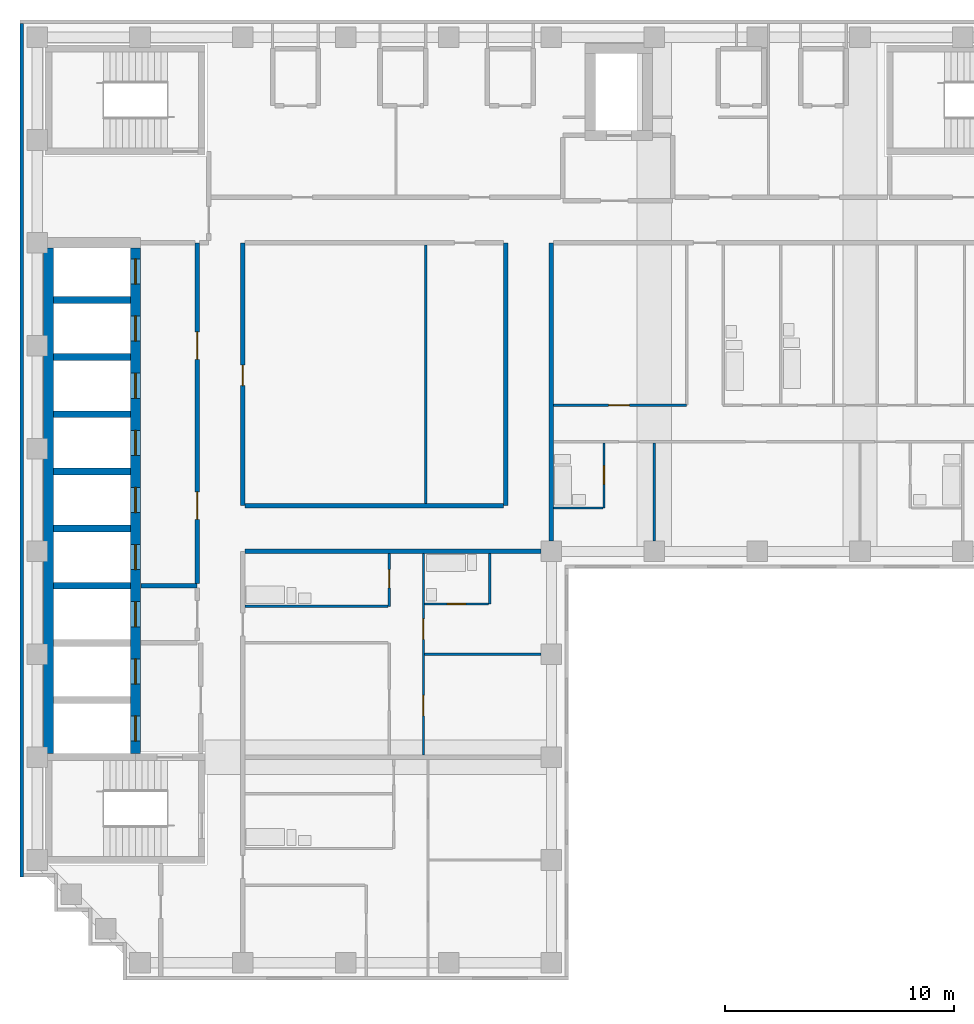
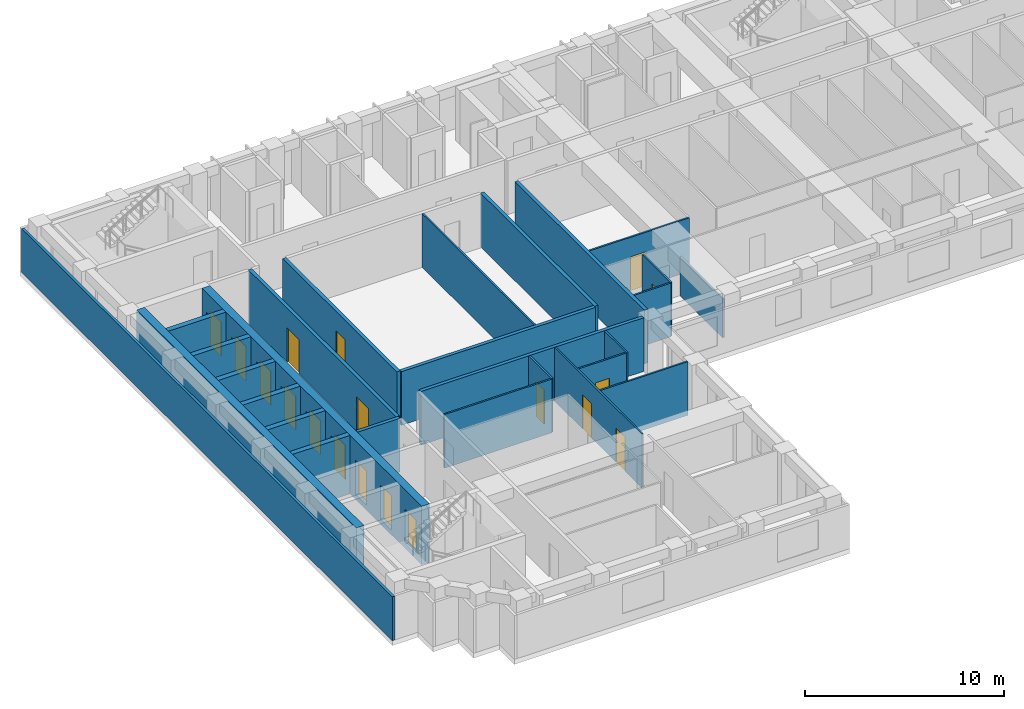
# One storey, part 3 of 9: 27 walls, 18 doors, 18 openings.
"""IFC4 building model written with IfcOpenShell, lengths in metres."""

from ifc_helpers import new_model, si_unit, direction, frame, frame_2d, origin, place, context, subcontext, project, spatial, rectangle, extrude, material, layer, layer_set, type_object, element, fill, save


model = new_model("IFC4")

# Units and contexts
model_context = context("Model", 3, precision=1e-05, world=origin(), true_north=direction((0.0, 1.0)))
body_context = subcontext(model_context, "Body", "Model", "MODEL_VIEW")
ifc_project = project(units=[si_unit("LENGTHUNIT", "METRE"), si_unit("AREAUNIT", "SQUARE_METRE"), si_unit("VOLUMEUNIT", "CUBIC_METRE"), si_unit("PLANEANGLEUNIT", "RADIAN"), si_unit("MASSUNIT", "GRAM", prefix="KILO")], contexts=[model_context])

# Site, building, storey
site_placement = place(None, origin())
site = spatial("IfcSite", under=ifc_project, at=site_placement, CompositionType="ELEMENT")
building_placement = place(site_placement, origin())
building = spatial("IfcBuilding", under=site, at=building_placement, Name="Firuza Court", CompositionType="ELEMENT")
storey_placement = place(building_placement, frame((0.0, 0.0, 222.199951171875)))
storey = spatial("IfcBuildingStorey", under=building, at=storey_placement, Name="L57", CompositionType="ELEMENT", Elevation=222.199951171875)

# Wall
ifc_material_1 = material(Name="Moisture-resistant gypsum board partition")
ifc_layer_1 = layer(ifc_material_1, 0.10009765625)
ifc_layer_set_1 = layer_set([ifc_layer_1], Name="Moisture-resistant gypsum board partition")
wall_type_1 = type_object("IfcWallType", Name="Bathroom partition 100", PredefinedType="PLUMBINGWALL", material=ifc_layer_set_1)
wall_1_placement = place(storey_placement, frame((9.10009765625, 33.60009765625, 0.0), z_axis=(0.0, 0.0, 1.0), x_axis=(1.0, 0.0, 0.0)))
element("IfcWall", 1, at=wall_1_placement, inside=storey, type_object=wall_type_1, Name="Bathroom partition 100 L57", PredefinedType="PLUMBINGWALL", context=body_context, shape_type="SweptSolid", body=[
    extrude(rectangle(XDim=6.25, YDim=0.10009765625, at=frame_2d((3.125, 0.0))), origin(), (0.0, 0.0, 1.0), 3.300048828125),
])

# Wall, opening, door
wall_2_placement = place(storey_placement, frame((16.949951171875, 33.699951171875, 0.0), z_axis=(0.0, 0.0, 1.0), x_axis=(1.0, 0.0, 0.0)))
wall_2 = element("IfcWall", 2, at=wall_2_placement, inside=storey, type_object=wall_type_1, Name="Bathroom partition 100 L57", PredefinedType="PLUMBINGWALL", context=body_context, shape_type="SweptSolid", body=[
    extrude(rectangle(XDim=2.800048828125, YDim=0.10009765625, at=frame_2d((1.39990234375, 0.0))), origin(), (0.0, 0.0, 1.0), 3.300048828125),
])
opening_1_placement = place(wall_2_placement, frame((1.0, 0.0, 0.0)))
opening_1 = element("IfcOpeningElement", 3, at=opening_1_placement, cuts=wall_2, Name="Opening D57025", PredefinedType="OPENING", context=body_context, shape_type="SweptSolid", body=[
    extrude(rectangle(XDim=0.800048828125, YDim=2.10009765625, at=frame_2d((0.39990234375, 1.050048828125))), frame((0.0, 0.06201171875, 0.0), z_axis=(0.0, -1.0, 0.0), x_axis=(1.0, 0.0, 0.0)), (0.0, 0.0, 1.0), 0.1240234375),
])
ifc_material_2 = material(Name="Timber door leaf in hardwood frame", Category="wood")
door_type_1 = type_object("IfcDoorType", Name="Bathroom door 800", OperationType="SINGLE_SWING_LEFT", PredefinedType="DOOR", material=ifc_material_2)
door_1_placement = place(opening_1_placement, origin())
door_1 = element("IfcDoor", 4, at=door_1_placement, inside=storey, type_object=door_type_1, Name="En-suite door", OperationType="SINGLE_SWING_LEFT", OverallHeight=2.10009765625, OverallWidth=0.800048828125, PredefinedType="DOOR", context=body_context, shape_type="SweptSolid", body=[
    extrude(rectangle(XDim=0.800048828125, YDim=2.10009765625, at=frame_2d((0.39990234375, 1.050048828125))), frame((0.0, 0.02490234375, 0.0), z_axis=(0.0, -1.0, 0.0), x_axis=(1.0, 0.0, 0.0)), (0.0, 0.0, 1.0), 0.050048828125),
])
fill(opening_1, door_1)

# Walls
wall_3_placement = place(storey_placement, frame((19.800048828125, 33.699951171875, 0.0), z_axis=(0.0, 0.0, 1.0), x_axis=(0.0, 1.0, 0.0)))
element("IfcWall", 5, at=wall_3_placement, inside=storey, type_object=wall_type_1, Name="Bathroom partition 100 L57", PredefinedType="PLUMBINGWALL", context=body_context, shape_type="SweptSolid", body=[
    extrude(rectangle(XDim=2.199951171875, YDim=0.10009765625, at=frame_2d((1.10009765625, 0.0))), origin(), (0.0, 0.0, 1.0), 3.300048828125),
])
wall_4_placement = place(storey_placement, frame((22.60009765625, 37.89990234375, 0.0), z_axis=(0.0, 0.0, 1.0), x_axis=(1.0, 0.0, 0.0)))
element("IfcWall", 6, at=wall_4_placement, inside=storey, type_object=wall_type_1, Name="Bathroom partition 100 L57", PredefinedType="PLUMBINGWALL", context=body_context, shape_type="SweptSolid", body=[
    extrude(rectangle(XDim=2.14990234375, YDim=0.10009765625, at=frame_2d((1.074951171875, 0.0))), origin(), (0.0, 0.0, 1.0), 3.300048828125),
])

# Wall, opening, door
wall_5_placement = place(storey_placement, frame((24.800048828125, 37.89990234375, 0.0), z_axis=(0.0, 0.0, 1.0), x_axis=(0.0, 1.0, 0.0)))
wall_5 = element("IfcWall", 7, at=wall_5_placement, inside=storey, type_object=wall_type_1, Name="Bathroom partition 100 L57", PredefinedType="PLUMBINGWALL", context=body_context, shape_type="SweptSolid", body=[
    extrude(rectangle(XDim=2.85009765625, YDim=0.10009765625, at=frame_2d((1.425048828125, 0.0))), origin(), (0.0, 0.0, 1.0), 3.300048828125),
])
opening_2_placement = place(wall_5_placement, frame((1.050048828125, 0.0, 0.0)))
opening_2 = element("IfcOpeningElement", 8, at=opening_2_placement, cuts=wall_5, Name="Opening D57026", PredefinedType="OPENING", context=body_context, shape_type="SweptSolid", body=[
    extrude(rectangle(XDim=0.800048828125, YDim=2.10009765625, at=frame_2d((0.39990234375, 1.050048828125))), frame((0.0, 0.06201171875, 0.0), z_axis=(0.0, -1.0, 0.0), x_axis=(1.0, 0.0, 0.0)), (0.0, 0.0, 1.0), 0.1240234375),
])
door_2_placement = place(opening_2_placement, origin())
door_2 = element("IfcDoor", 9, at=door_2_placement, inside=storey, type_object=door_type_1, Name="En-suite door", OperationType="SINGLE_SWING_LEFT", OverallHeight=2.10009765625, OverallWidth=0.800048828125, PredefinedType="DOOR", context=body_context, shape_type="SweptSolid", body=[
    extrude(rectangle(XDim=0.800048828125, YDim=2.10009765625, at=frame_2d((0.39990234375, 1.050048828125))), frame((0.0, 0.02490234375, 0.0), z_axis=(0.0, -1.0, 0.0), x_axis=(1.0, 0.0, 0.0)), (0.0, 0.0, 1.0), 0.050048828125),
])
fill(opening_2, door_2)

# Walls
ifc_material_3 = material(Name="Concrete C50/60", Category="concrete")
ifc_layer_2 = layer(ifc_material_3, 0.300048828125)
ifc_layer_set_2 = layer_set([ifc_layer_2], Name="Concrete C50/60")
wall_type_2 = type_object("IfcWallType", Name="Core wall 300 C50/60", PredefinedType="SHEAR", material=ifc_layer_set_2)
for number, where, z_axis, x_axis, name in (
    (10, (0.72509765625, 34.5, -0.300048828125), (0.0, 0.0, 1.0), (1.0, 0.0, 0.0), "Core wall lift shaft L57"),
    (11, (0.72509765625, 37.0, -0.300048828125), (0.0, 0.0, 1.0), (1.0, 0.0, 0.0), "Core wall lift shaft L57"),
    (12, (0.72509765625, 39.5, -0.300048828125), (0.0, 0.0, 1.0), (1.0, 0.0, 0.0), "Core wall lift shaft L57"),
    (13, (0.72509765625, 42.0, -0.300048828125), (0.0, 0.0, 1.0), (1.0, 0.0, 0.0), "Core wall lift shaft L57"),
    (14, (0.72509765625, 44.5, -0.300048828125), (0.0, 0.0, 1.0), (1.0, 0.0, 0.0), "Core wall lift shaft L57"),
    (15, (0.72509765625, 47.0, -0.300048828125), (0.0, 0.0, 1.0), (1.0, 0.0, 0.0), "Core wall lift shaft L57"),
):
    element("IfcWall", number, at=place(storey_placement, frame(where, z_axis=z_axis, x_axis=x_axis)), inside=storey, type_object=wall_type_2, Name=name, PredefinedType="SHEAR", context=body_context, shape_type="SweptSolid", body=[
        extrude(rectangle(XDim=3.349853515625, YDim=0.300048828125, at=frame_2d((1.6748046875, 0.0))), origin(), (0.0, 0.0, 1.0), 3.60009765625),
    ])
ifc_layer_3 = layer(ifc_material_3, 0.449951171875)
ifc_layer_set_3 = layer_set([ifc_layer_3], Name="Concrete C50/60")
wall_type_3 = type_object("IfcWallType", Name="Core wall 450 C50/60", PredefinedType="SHEAR", material=ifc_layer_set_3)
wall_6_placement = place(storey_placement, frame((0.5, 27.14990234375, -0.300048828125), z_axis=(0.0, 0.0, 1.0), x_axis=(0.0, 1.0, 0.0)))
element("IfcWall", 16, at=wall_6_placement, inside=storey, type_object=wall_type_3, Name="Core wall lift shaft L57", PredefinedType="SHEAR", context=body_context, shape_type="SweptSolid", body=[
    extrude(rectangle(XDim=22.125, YDim=0.449951171875, at=frame_2d((11.0625, 0.0))), origin(), (0.0, 0.0, 1.0), 3.60009765625),
])

# Wall, openings, doors
wall_7_placement = place(storey_placement, frame((4.300048828125, 27.14990234375, -0.300048828125), z_axis=(0.0, 0.0, 1.0), x_axis=(0.0, 1.0, 0.0)))
wall_7 = element("IfcWall", 17, at=wall_7_placement, inside=storey, type_object=wall_type_3, Name="Core wall lift shaft L57", PredefinedType="SHEAR", context=body_context, shape_type="SweptSolid", body=[
    extrude(rectangle(XDim=22.125, YDim=0.449951171875, at=frame_2d((11.0625, 0.0))), origin(), (0.0, 0.0, 1.0), 3.60009765625),
])
opening_3_placement = place(wall_7_placement, frame((3.050048828125, 0.0, 0.300048828125)))
opening_3 = element("IfcOpeningElement", 18, at=opening_3_placement, cuts=wall_7, Name="Opening LD-FL1-57", PredefinedType="OPENING", context=body_context, shape_type="SweptSolid", body=[
    extrude(rectangle(XDim=1.10009765625, YDim=2.10009765625, at=frame_2d((0.550048828125, 1.050048828125))), frame((0.0, 0.23681640625, 0.0), z_axis=(0.0, -1.0, 0.0), x_axis=(1.0, 0.0, 0.0)), (0.0, 0.0, 1.0), 0.473876953125),
])
opening_4_placement = place(wall_7_placement, frame((0.550048828125, 0.0, 0.300048828125)))
opening_4 = element("IfcOpeningElement", 19, at=opening_4_placement, cuts=wall_7, Name="Opening LD-FL2-57", PredefinedType="OPENING", context=body_context, shape_type="SweptSolid", body=[
    extrude(rectangle(XDim=1.10009765625, YDim=2.10009765625, at=frame_2d((0.550048828125, 1.050048828125))), frame((0.0, 0.23681640625, 0.0), z_axis=(0.0, -1.0, 0.0), x_axis=(1.0, 0.0, 0.0)), (0.0, 0.0, 1.0), 0.473876953125),
])
opening_5_placement = place(wall_7_placement, frame((20.550048828125, 0.0, 0.300048828125)))
opening_5 = element("IfcOpeningElement", 20, at=opening_5_placement, cuts=wall_7, Name="Opening LD-HB1-57", PredefinedType="OPENING", context=body_context, shape_type="SweptSolid", body=[
    extrude(rectangle(XDim=1.10009765625, YDim=2.10009765625, at=frame_2d((0.550048828125, 1.050048828125))), frame((0.0, 0.23681640625, 0.0), z_axis=(0.0, -1.0, 0.0), x_axis=(1.0, 0.0, 0.0)), (0.0, 0.0, 1.0), 0.473876953125),
])
opening_6_placement = place(wall_7_placement, frame((18.050048828125, 0.0, 0.300048828125)))
opening_6 = element("IfcOpeningElement", 21, at=opening_6_placement, cuts=wall_7, Name="Opening LD-HB2-57", PredefinedType="OPENING", context=body_context, shape_type="SweptSolid", body=[
    extrude(rectangle(XDim=1.10009765625, YDim=2.10009765625, at=frame_2d((0.550048828125, 1.050048828125))), frame((0.0, 0.23681640625, 0.0), z_axis=(0.0, -1.0, 0.0), x_axis=(1.0, 0.0, 0.0)), (0.0, 0.0, 1.0), 0.473876953125),
])
opening_7_placement = place(wall_7_placement, frame((15.550048828125, 0.0, 0.300048828125)))
opening_7 = element("IfcOpeningElement", 22, at=opening_7_placement, cuts=wall_7, Name="Opening LD-HB3-57", PredefinedType="OPENING", context=body_context, shape_type="SweptSolid", body=[
    extrude(rectangle(XDim=1.10009765625, YDim=2.10009765625, at=frame_2d((0.550048828125, 1.050048828125))), frame((0.0, 0.23681640625, 0.0), z_axis=(0.0, -1.0, 0.0), x_axis=(1.0, 0.0, 0.0)), (0.0, 0.0, 1.0), 0.473876953125),
])
opening_8_placement = place(wall_7_placement, frame((13.050048828125, 0.0, 0.300048828125)))
opening_8 = element("IfcOpeningElement", 23, at=opening_8_placement, cuts=wall_7, Name="Opening LD-HB4-57", PredefinedType="OPENING", context=body_context, shape_type="SweptSolid", body=[
    extrude(rectangle(XDim=1.10009765625, YDim=2.10009765625, at=frame_2d((0.550048828125, 1.050048828125))), frame((0.0, 0.23681640625, 0.0), z_axis=(0.0, -1.0, 0.0), x_axis=(1.0, 0.0, 0.0)), (0.0, 0.0, 1.0), 0.473876953125),
])
opening_9_placement = place(wall_7_placement, frame((10.550048828125, 0.0, 0.300048828125)))
opening_9 = element("IfcOpeningElement", 24, at=opening_9_placement, cuts=wall_7, Name="Opening LD-HB5-57", PredefinedType="OPENING", context=body_context, shape_type="SweptSolid", body=[
    extrude(rectangle(XDim=1.10009765625, YDim=2.10009765625, at=frame_2d((0.550048828125, 1.050048828125))), frame((0.0, 0.23681640625, 0.0), z_axis=(0.0, -1.0, 0.0), x_axis=(1.0, 0.0, 0.0)), (0.0, 0.0, 1.0), 0.473876953125),
])
opening_10_placement = place(wall_7_placement, frame((8.050048828125, 0.0, 0.300048828125)))
opening_10 = element("IfcOpeningElement", 25, at=opening_10_placement, cuts=wall_7, Name="Opening LD-HB6-57", PredefinedType="OPENING", context=body_context, shape_type="SweptSolid", body=[
    extrude(rectangle(XDim=1.10009765625, YDim=2.10009765625, at=frame_2d((0.550048828125, 1.050048828125))), frame((0.0, 0.23681640625, 0.0), z_axis=(0.0, -1.0, 0.0), x_axis=(1.0, 0.0, 0.0)), (0.0, 0.0, 1.0), 0.473876953125),
])
opening_11_placement = place(wall_7_placement, frame((5.550048828125, 0.0, 0.300048828125)))
opening_11 = element("IfcOpeningElement", 26, at=opening_11_placement, cuts=wall_7, Name="Opening LD-SL1-57", PredefinedType="OPENING", context=body_context, shape_type="SweptSolid", body=[
    extrude(rectangle(XDim=1.10009765625, YDim=2.10009765625, at=frame_2d((0.550048828125, 1.050048828125))), frame((0.0, 0.23681640625, 0.0), z_axis=(0.0, -1.0, 0.0), x_axis=(1.0, 0.0, 0.0)), (0.0, 0.0, 1.0), 0.473876953125),
])
ifc_material_4 = material(Name="Stainless steel 1.4301 door leaf", Category="steel")
door_type_2 = type_object("IfcDoorType", Name="Lift landing door 1100", OperationType="SLIDING_TO_LEFT", PredefinedType="DOOR", material=ifc_material_4)
door_3_placement = place(opening_3_placement, origin())
door_3 = element("IfcDoor", 27, at=door_3_placement, inside=storey, type_object=door_type_2, Name="Landing door FL1", OperationType="SLIDING_TO_LEFT", OverallHeight=2.10009765625, OverallWidth=1.10009765625, PredefinedType="DOOR", context=body_context, shape_type="SweptSolid", body=[
    extrude(rectangle(XDim=1.10009765625, YDim=2.10009765625, at=frame_2d((0.550048828125, 1.050048828125))), frame((0.0, 0.02490234375, 0.0), z_axis=(0.0, -1.0, 0.0), x_axis=(1.0, 0.0, 0.0)), (0.0, 0.0, 1.0), 0.050048828125),
])
fill(opening_3, door_3)
door_4_placement = place(opening_4_placement, origin())
door_4 = element("IfcDoor", 28, at=door_4_placement, inside=storey, type_object=door_type_2, Name="Landing door FL2", OperationType="SLIDING_TO_LEFT", OverallHeight=2.10009765625, OverallWidth=1.10009765625, PredefinedType="DOOR", context=body_context, shape_type="SweptSolid", body=[
    extrude(rectangle(XDim=1.10009765625, YDim=2.10009765625, at=frame_2d((0.550048828125, 1.050048828125))), frame((0.0, 0.02490234375, 0.0), z_axis=(0.0, -1.0, 0.0), x_axis=(1.0, 0.0, 0.0)), (0.0, 0.0, 1.0), 0.050048828125),
])
fill(opening_4, door_4)
door_5_placement = place(opening_5_placement, origin())
door_5 = element("IfcDoor", 29, at=door_5_placement, inside=storey, type_object=door_type_2, Name="Landing door HB1", OperationType="SLIDING_TO_LEFT", OverallHeight=2.10009765625, OverallWidth=1.10009765625, PredefinedType="DOOR", context=body_context, shape_type="SweptSolid", body=[
    extrude(rectangle(XDim=1.10009765625, YDim=2.10009765625, at=frame_2d((0.550048828125, 1.050048828125))), frame((0.0, 0.02490234375, 0.0), z_axis=(0.0, -1.0, 0.0), x_axis=(1.0, 0.0, 0.0)), (0.0, 0.0, 1.0), 0.050048828125),
])
fill(opening_5, door_5)
door_6_placement = place(opening_6_placement, origin())
door_6 = element("IfcDoor", 30, at=door_6_placement, inside=storey, type_object=door_type_2, Name="Landing door HB2", OperationType="SLIDING_TO_LEFT", OverallHeight=2.10009765625, OverallWidth=1.10009765625, PredefinedType="DOOR", context=body_context, shape_type="SweptSolid", body=[
    extrude(rectangle(XDim=1.10009765625, YDim=2.10009765625, at=frame_2d((0.550048828125, 1.050048828125))), frame((0.0, 0.02490234375, 0.0), z_axis=(0.0, -1.0, 0.0), x_axis=(1.0, 0.0, 0.0)), (0.0, 0.0, 1.0), 0.050048828125),
])
fill(opening_6, door_6)
door_7_placement = place(opening_7_placement, origin())
door_7 = element("IfcDoor", 31, at=door_7_placement, inside=storey, type_object=door_type_2, Name="Landing door HB3", OperationType="SLIDING_TO_LEFT", OverallHeight=2.10009765625, OverallWidth=1.10009765625, PredefinedType="DOOR", context=body_context, shape_type="SweptSolid", body=[
    extrude(rectangle(XDim=1.10009765625, YDim=2.10009765625, at=frame_2d((0.550048828125, 1.050048828125))), frame((0.0, 0.02490234375, 0.0), z_axis=(0.0, -1.0, 0.0), x_axis=(1.0, 0.0, 0.0)), (0.0, 0.0, 1.0), 0.050048828125),
])
fill(opening_7, door_7)
door_8_placement = place(opening_8_placement, origin())
door_8 = element("IfcDoor", 32, at=door_8_placement, inside=storey, type_object=door_type_2, Name="Landing door HB4", OperationType="SLIDING_TO_LEFT", OverallHeight=2.10009765625, OverallWidth=1.10009765625, PredefinedType="DOOR", context=body_context, shape_type="SweptSolid", body=[
    extrude(rectangle(XDim=1.10009765625, YDim=2.10009765625, at=frame_2d((0.550048828125, 1.050048828125))), frame((0.0, 0.02490234375, 0.0), z_axis=(0.0, -1.0, 0.0), x_axis=(1.0, 0.0, 0.0)), (0.0, 0.0, 1.0), 0.050048828125),
])
fill(opening_8, door_8)
door_9_placement = place(opening_9_placement, origin())
door_9 = element("IfcDoor", 33, at=door_9_placement, inside=storey, type_object=door_type_2, Name="Landing door HB5", OperationType="SLIDING_TO_LEFT", OverallHeight=2.10009765625, OverallWidth=1.10009765625, PredefinedType="DOOR", context=body_context, shape_type="SweptSolid", body=[
    extrude(rectangle(XDim=1.10009765625, YDim=2.10009765625, at=frame_2d((0.550048828125, 1.050048828125))), frame((0.0, 0.02490234375, 0.0), z_axis=(0.0, -1.0, 0.0), x_axis=(1.0, 0.0, 0.0)), (0.0, 0.0, 1.0), 0.050048828125),
])
fill(opening_9, door_9)
door_10_placement = place(opening_10_placement, origin())
door_10 = element("IfcDoor", 34, at=door_10_placement, inside=storey, type_object=door_type_2, Name="Landing door HB6", OperationType="SLIDING_TO_LEFT", OverallHeight=2.10009765625, OverallWidth=1.10009765625, PredefinedType="DOOR", context=body_context, shape_type="SweptSolid", body=[
    extrude(rectangle(XDim=1.10009765625, YDim=2.10009765625, at=frame_2d((0.550048828125, 1.050048828125))), frame((0.0, 0.02490234375, 0.0), z_axis=(0.0, -1.0, 0.0), x_axis=(1.0, 0.0, 0.0)), (0.0, 0.0, 1.0), 0.050048828125),
])
fill(opening_10, door_10)
door_11_placement = place(opening_11_placement, origin())
door_11 = element("IfcDoor", 35, at=door_11_placement, inside=storey, type_object=door_type_2, Name="Landing door SL1", OperationType="SLIDING_TO_LEFT", OverallHeight=2.10009765625, OverallWidth=1.10009765625, PredefinedType="DOOR", context=body_context, shape_type="SweptSolid", body=[
    extrude(rectangle(XDim=1.10009765625, YDim=2.10009765625, at=frame_2d((0.550048828125, 1.050048828125))), frame((0.0, 0.02490234375, 0.0), z_axis=(0.0, -1.0, 0.0), x_axis=(1.0, 0.0, 0.0)), (0.0, 0.0, 1.0), 0.050048828125),
])
fill(opening_11, door_11)

# Wall, opening, door
ifc_material_5 = material(Name="Blockwork, plastered both sides", Category="masonry")
ifc_layer_4 = layer(ifc_material_5, 0.199951171875)
ifc_layer_set_4 = layer_set([ifc_layer_4], Name="Blockwork, plastered both sides")
wall_type_4 = type_object("IfcWallType", Name="Corridor wall 200", PredefinedType="PARTITIONING", material=ifc_layer_set_4)
wall_8_placement = place(storey_placement, frame((9.0, 38.0, 0.0), z_axis=(0.0, 0.0, 1.0), x_axis=(0.0, 1.0, 0.0)))
wall_8 = element("IfcWall", 36, at=wall_8_placement, inside=storey, type_object=wall_type_4, Name="Corridor wall 200 L57", PredefinedType="PARTITIONING", context=body_context, shape_type="SweptSolid", body=[
    extrude(rectangle(XDim=11.5, YDim=0.199951171875, at=frame_2d((5.75, 0.0))), origin(), (0.0, 0.0, 1.0), 3.300048828125),
])
opening_12_placement = place(wall_8_placement, frame((5.25, 0.0, 0.0)))
opening_12 = element("IfcOpeningElement", 37, at=opening_12_placement, cuts=wall_8, Name="Opening D57028", PredefinedType="OPENING", context=body_context, shape_type="SweptSolid", body=[
    extrude(rectangle(XDim=0.89990234375, YDim=2.10009765625, at=frame_2d((0.449951171875, 1.050048828125))), frame((0.0, 0.11181640625, 0.0), z_axis=(0.0, -1.0, 0.0), x_axis=(1.0, 0.0, 0.0)), (0.0, 0.0, 1.0), 0.223876953125),
])
ifc_material_6 = material(Name="Timber door leaf in hardwood frame", Category="wood")
door_type_3 = type_object("IfcDoorType", Name="Room door 900 EI 30", OperationType="SINGLE_SWING_LEFT", PredefinedType="DOOR", material=ifc_material_6)
door_12_placement = place(opening_12_placement, origin())
door_12 = element("IfcDoor", 38, at=door_12_placement, inside=storey, type_object=door_type_3, Name="Cinema room door", OperationType="SINGLE_SWING_LEFT", OverallHeight=2.10009765625, OverallWidth=0.89990234375, PredefinedType="DOOR", context=body_context, shape_type="SweptSolid", body=[
    extrude(rectangle(XDim=0.89990234375, YDim=2.10009765625, at=frame_2d((0.449951171875, 1.050048828125))), frame((0.0, 0.02490234375, 0.0), z_axis=(0.0, -1.0, 0.0), x_axis=(1.0, 0.0, 0.0)), (0.0, 0.0, 1.0), 0.050048828125),
])
fill(opening_12, door_12)

# Walls
wall_9_placement = place(storey_placement, frame((9.10009765625, 38.0, 0.0), z_axis=(0.0, 0.0, 1.0), x_axis=(1.0, 0.0, 0.0)))
element("IfcWall", 39, at=wall_9_placement, inside=storey, type_object=wall_type_4, Name="Corridor wall 200 L57", PredefinedType="PARTITIONING", context=body_context, shape_type="SweptSolid", body=[
    extrude(rectangle(XDim=11.2998046875, YDim=0.199951171875, at=frame_2d((5.64990234375, 0.0))), origin(), (0.0, 0.0, 1.0), 3.300048828125),
])
wall_10_placement = place(storey_placement, frame((20.5, 38.0, 0.0), z_axis=(0.0, 0.0, 1.0), x_axis=(0.0, 1.0, 0.0)))
element("IfcWall", 40, at=wall_10_placement, inside=storey, type_object=wall_type_4, Name="Corridor wall 200 L57", PredefinedType="PARTITIONING", context=body_context, shape_type="SweptSolid", body=[
    extrude(rectangle(XDim=11.5, YDim=0.199951171875, at=frame_2d((5.75, 0.0))), origin(), (0.0, 0.0, 1.0), 3.300048828125),
])

# Wall, openings, doors
ifc_material_7 = material(Name="Timber stud partition, plasterboard both sides", Category="wood")
ifc_layer_5 = layer(ifc_material_7, 0.10009765625)
ifc_layer_set_5 = layer_set([ifc_layer_5], Name="Timber stud partition, plasterboard both sides")
wall_type_5 = type_object("IfcWallType", Name="Partition wall 100", PredefinedType="PARTITIONING", material=ifc_layer_set_5)
wall_11_placement = place(storey_placement, frame((16.89990234375, 27.10009765625, 0.0), z_axis=(0.0, 0.0, 1.0), x_axis=(0.0, 1.0, 0.0)))
wall_11 = element("IfcWall", 41, at=wall_11_placement, inside=storey, type_object=wall_type_5, Name="Partition wall 100 L57", PredefinedType="PARTITIONING", context=body_context, shape_type="SweptSolid", body=[
    extrude(rectangle(XDim=8.7998046875, YDim=0.10009765625, at=frame_2d((4.39990234375, 0.0))), origin(), (0.0, 0.0, 1.0), 3.300048828125),
])
opening_13_placement = place(wall_11_placement, frame((1.699951171875, 0.0, 0.0)))
opening_13 = element("IfcOpeningElement", 42, at=opening_13_placement, cuts=wall_11, Name="Opening D57022", PredefinedType="OPENING", context=body_context, shape_type="SweptSolid", body=[
    extrude(rectangle(XDim=0.89990234375, YDim=2.10009765625, at=frame_2d((0.449951171875, 1.050048828125))), frame((0.0, 0.06201171875, 0.0), z_axis=(0.0, -1.0, 0.0), x_axis=(1.0, 0.0, 0.0)), (0.0, 0.0, 1.0), 0.1240234375),
])
opening_14_placement = place(wall_11_placement, frame((5.050048828125, 0.0, 0.0)))
opening_14 = element("IfcOpeningElement", 43, at=opening_14_placement, cuts=wall_11, Name="Opening D57023", PredefinedType="OPENING", context=body_context, shape_type="SweptSolid", body=[
    extrude(rectangle(XDim=0.89990234375, YDim=2.10009765625, at=frame_2d((0.449951171875, 1.050048828125))), frame((0.0, 0.06201171875, 0.0), z_axis=(0.0, -1.0, 0.0), x_axis=(1.0, 0.0, 0.0)), (0.0, 0.0, 1.0), 0.1240234375),
])
ifc_material_8 = material(Name="Timber door leaf in hardwood frame", Category="wood")
door_type_4 = type_object("IfcDoorType", Name="Room door 900", OperationType="SINGLE_SWING_LEFT", PredefinedType="DOOR", material=ifc_material_8)
door_13_placement = place(opening_13_placement, frame((0.89990234375, 0.0, 0.0), z_axis=(0.0, 0.0, 1.0), x_axis=(-1.0, 0.0, 0.0)))
door_13 = element("IfcDoor", 44, at=door_13_placement, inside=storey, type_object=door_type_4, Name="Living room door", OperationType="SINGLE_SWING_RIGHT", OverallHeight=2.10009765625, OverallWidth=0.89990234375, PredefinedType="DOOR", context=body_context, shape_type="SweptSolid", body=[
    extrude(rectangle(XDim=0.89990234375, YDim=2.10009765625, at=frame_2d((0.449951171875, 1.050048828125))), frame((0.0, 0.02490234375, 0.0), z_axis=(0.0, -1.0, 0.0), x_axis=(1.0, 0.0, 0.0)), (0.0, 0.0, 1.0), 0.050048828125),
])
fill(opening_13, door_13)
door_14_placement = place(opening_14_placement, frame((0.89990234375, 0.0, 0.0), z_axis=(0.0, 0.0, 1.0), x_axis=(-1.0, 0.0, 0.0)))
door_14 = element("IfcDoor", 45, at=door_14_placement, inside=storey, type_object=door_type_4, Name="Bedroom door", OperationType="SINGLE_SWING_RIGHT", OverallHeight=2.10009765625, OverallWidth=0.89990234375, PredefinedType="DOOR", context=body_context, shape_type="SweptSolid", body=[
    extrude(rectangle(XDim=0.89990234375, YDim=2.10009765625, at=frame_2d((0.449951171875, 1.050048828125))), frame((0.0, 0.02490234375, 0.0), z_axis=(0.0, -1.0, 0.0), x_axis=(1.0, 0.0, 0.0)), (0.0, 0.0, 1.0), 0.050048828125),
])
fill(opening_14, door_14)

# Wall
wall_12_placement = place(storey_placement, frame((16.949951171875, 31.5, 0.0), z_axis=(0.0, 0.0, 1.0), x_axis=(1.0, 0.0, 0.0)))
element("IfcWall", 46, at=wall_12_placement, inside=storey, type_object=wall_type_5, Name="Partition wall 100 L57", PredefinedType="PARTITIONING", context=body_context, shape_type="SweptSolid", body=[
    extrude(rectangle(XDim=5.10009765625, YDim=0.10009765625, at=frame_2d((2.550048828125, 0.0))), origin(), (0.0, 0.0, 1.0), 3.300048828125),
])

# Wall, opening, door
wall_13_placement = place(storey_placement, frame((15.39990234375, 33.60009765625, 0.0), z_axis=(0.0, 0.0, 1.0), x_axis=(0.0, 1.0, 0.0)))
wall_13 = element("IfcWall", 47, at=wall_13_placement, inside=storey, type_object=wall_type_5, Name="Partition wall 100 L57", PredefinedType="PARTITIONING", context=body_context, shape_type="SweptSolid", body=[
    extrude(rectangle(XDim=2.2998046875, YDim=0.10009765625, at=frame_2d((1.14990234375, 0.0))), origin(), (0.0, 0.0, 1.0), 3.300048828125),
])
opening_15_placement = place(wall_13_placement, frame((0.800048828125, 0.0, 0.0)))
opening_15 = element("IfcOpeningElement", 48, at=opening_15_placement, cuts=wall_13, Name="Opening D57024", PredefinedType="OPENING", context=body_context, shape_type="SweptSolid", body=[
    extrude(rectangle(XDim=0.800048828125, YDim=2.10009765625, at=frame_2d((0.39990234375, 1.050048828125))), frame((0.0, 0.06201171875, 0.0), z_axis=(0.0, -1.0, 0.0), x_axis=(1.0, 0.0, 0.0)), (0.0, 0.0, 1.0), 0.1240234375),
])
door_15_placement = place(opening_15_placement, origin())
door_15 = element("IfcDoor", 49, at=door_15_placement, inside=storey, type_object=door_type_1, Name="Bathroom door", OperationType="SINGLE_SWING_LEFT", OverallHeight=2.10009765625, OverallWidth=0.800048828125, PredefinedType="DOOR", context=body_context, shape_type="SweptSolid", body=[
    extrude(rectangle(XDim=0.800048828125, YDim=2.10009765625, at=frame_2d((0.39990234375, 1.050048828125))), frame((0.0, 0.02490234375, 0.0), z_axis=(0.0, -1.0, 0.0), x_axis=(1.0, 0.0, 0.0)), (0.0, 0.0, 1.0), 0.050048828125),
])
fill(opening_15, door_15)

# Walls
wall_14_placement = place(storey_placement, frame((27.0, 36.449951171875, 0.0), z_axis=(0.0, 0.0, 1.0), x_axis=(0.0, 1.0, 0.0)))
element("IfcWall", 50, at=wall_14_placement, inside=storey, type_object=wall_type_5, Name="Partition wall 100 L57", PredefinedType="PARTITIONING", context=body_context, shape_type="SweptSolid", body=[
    extrude(rectangle(XDim=4.300048828125, YDim=0.10009765625, at=frame_2d((2.14990234375, 0.0))), origin(), (0.0, 0.0, 1.0), 2.400146484375),
])
wall_15_placement = place(storey_placement, frame((17.0, 38.10009765625, 0.0), z_axis=(0.0, 0.0, 1.0), x_axis=(0.0, 1.0, 0.0)))
element("IfcWall", 51, at=wall_15_placement, inside=storey, type_object=wall_type_5, Name="Partition wall 100 L57", PredefinedType="PARTITIONING", context=body_context, shape_type="SweptSolid", body=[
    extrude(rectangle(XDim=11.2998046875, YDim=0.10009765625, at=frame_2d((5.64990234375, 0.0))), origin(), (0.0, 0.0, 1.0), 3.300048828125),
])

# Wall, opening, door
wall_16_placement = place(storey_placement, frame((22.60009765625, 42.39990234375, 0.0), z_axis=(0.0, 0.0, 1.0), x_axis=(1.0, 0.0, 0.0)))
wall_16 = element("IfcWall", 52, at=wall_16_placement, inside=storey, type_object=wall_type_5, Name="Partition wall 100 L57", PredefinedType="PARTITIONING", context=body_context, shape_type="SweptSolid", body=[
    extrude(rectangle(XDim=5.8154296875, YDim=0.10009765625, at=frame_2d((2.90771484375, 0.0))), origin(), (0.0, 0.0, 1.0), 3.300048828125),
])
opening_16_placement = place(wall_16_placement, frame((2.40771484375, 0.0, 0.0)))
opening_16 = element("IfcOpeningElement", 53, at=opening_16_placement, cuts=wall_16, Name="Opening D57034", PredefinedType="OPENING", context=body_context, shape_type="SweptSolid", body=[
    extrude(rectangle(XDim=0.89990234375, YDim=2.10009765625, at=frame_2d((0.449951171875, 1.050048828125))), frame((0.0, 0.06201171875, 0.0), z_axis=(0.0, -1.0, 0.0), x_axis=(1.0, 0.0, 0.0)), (0.0, 0.0, 1.0), 0.1240234375),
])
door_16_placement = place(opening_16_placement, origin())
door_16 = element("IfcDoor", 54, at=door_16_placement, inside=storey, type_object=door_type_4, Name="Kitchen door", OperationType="SINGLE_SWING_LEFT", OverallHeight=2.10009765625, OverallWidth=0.89990234375, PredefinedType="DOOR", context=body_context, shape_type="SweptSolid", body=[
    extrude(rectangle(XDim=0.89990234375, YDim=2.10009765625, at=frame_2d((0.449951171875, 1.050048828125))), frame((0.0, 0.02490234375, 0.0), z_axis=(0.0, -1.0, 0.0), x_axis=(1.0, 0.0, 0.0)), (0.0, 0.0, 1.0), 0.050048828125),
])
fill(opening_16, door_16)

# Walls
ifc_layer_6 = layer(ifc_material_5, 0.199951171875)
ifc_layer_set_6 = layer_set([ifc_layer_6], Name="Blockwork, plastered both sides")
wall_type_6 = type_object("IfcWallType", Name="Party wall 200", PredefinedType="PARTITIONING", material=ifc_layer_set_6)
wall_17_placement = place(storey_placement, frame((9.10009765625, 36.0, 0.0), z_axis=(0.0, 0.0, 1.0), x_axis=(1.0, 0.0, 0.0)))
element("IfcWall", 55, at=wall_17_placement, inside=storey, type_object=wall_type_6, Name="Party wall 200 L57", PredefinedType="PARTITIONING", context=body_context, shape_type="SweptSolid", body=[
    extrude(rectangle(XDim=12.949951171875, YDim=0.199951171875, at=frame_2d((6.47509765625, 0.0))), origin(), (0.0, 0.0, 1.0), 3.300048828125),
])
wall_18_placement = place(storey_placement, frame((22.5, 36.449951171875, 0.0), z_axis=(0.0, 0.0, 1.0), x_axis=(0.0, 1.0, 0.0)))
element("IfcWall", 56, at=wall_18_placement, inside=storey, type_object=wall_type_6, Name="Party wall 200 L57", PredefinedType="PARTITIONING", context=body_context, shape_type="SweptSolid", body=[
    extrude(rectangle(XDim=13.050048828125, YDim=0.199951171875, at=frame_2d((6.52490234375, 0.0))), origin(), (0.0, 0.0, 1.0), 3.300048828125),
])
ifc_material_9 = material(Name="Ceramic tile", Category="ceramic")
ifc_layer_7 = layer(ifc_material_9, 0.02001953125)
ifc_material_10 = material(Name="Mineral wool insulation", Category="insulation")
ifc_layer_8 = layer(ifc_material_10, 0.050048828125)
ifc_material_11 = material(Name="Concrete C40/50 precast", Category="concrete")
ifc_layer_9 = layer(ifc_material_11, 0.080078125)
ifc_layer_set_7 = layer_set([ifc_layer_7, ifc_layer_8, ifc_layer_9], Name="Concrete C40/50 precast")
wall_type_7 = type_object("IfcWallType", Name="Precast cladding wall with turquoise TILE PANEL face 150", PredefinedType="STANDARD", material=ifc_layer_set_7)
wall_19_placement = place(storey_placement, frame((-0.675048828125, 59.10009765625, 0.0), z_axis=(0.0, 0.0, 1.0), x_axis=(0.0, -1.0, 0.0)))
element("IfcWall", 57, at=wall_19_placement, inside=storey, type_object=wall_type_7, Name="Facade wall L57 W", PredefinedType="STANDARD", context=body_context, shape_type="SweptSolid", body=[
    extrude(rectangle(XDim=37.35009765625, YDim=0.14990234375, at=frame_2d((18.675048828125, 0.0))), origin(), (0.0, 0.0, 1.0), 2.699951171875),
])
ifc_material_12 = material(Name="Blockwork, fire-rated", Category="masonry")
ifc_layer_10 = layer(ifc_material_12, 0.199951171875)
ifc_layer_set_8 = layer_set([ifc_layer_10], Name="Blockwork, fire-rated")
wall_type_8 = type_object("IfcWallType", Name="Shaft wall 200", PredefinedType="PARTITIONING", material=ifc_layer_set_8)
wall_20_placement = place(storey_placement, frame((4.544921875, 34.5, 0.0), z_axis=(0.0, 0.0, 1.0), x_axis=(1.0, 0.0, 0.0)))
element("IfcWall", 58, at=wall_20_placement, inside=storey, type_object=wall_type_8, Name="Shaft wall 200 L57", PredefinedType="PARTITIONING", context=body_context, shape_type="SweptSolid", body=[
    extrude(rectangle(XDim=2.455078125, YDim=0.199951171875, at=frame_2d((1.2275390625, 0.0))), origin(), (0.0, 0.0, 1.0), 3.300048828125),
])

# Wall, openings, doors
wall_21_placement = place(storey_placement, frame((7.0, 34.60009765625, 0.0), z_axis=(0.0, 0.0, 1.0), x_axis=(0.0, 1.0, 0.0)))
wall_21 = element("IfcWall", 59, at=wall_21_placement, inside=storey, type_object=wall_type_8, Name="Shaft wall 200 L57", PredefinedType="PARTITIONING", context=body_context, shape_type="SweptSolid", body=[
    extrude(rectangle(XDim=14.89990234375, YDim=0.199951171875, at=frame_2d((7.449951171875, 0.0))), origin(), (0.0, 0.0, 1.0), 3.300048828125),
])
opening_17_placement = place(wall_21_placement, frame((2.800048828125, 0.0, 0.0)))
opening_17 = element("IfcOpeningElement", 60, at=opening_17_placement, cuts=wall_21, Name="Opening D57004", PredefinedType="OPENING", context=body_context, shape_type="SweptSolid", body=[
    extrude(rectangle(XDim=1.199951171875, YDim=2.10009765625, at=frame_2d((0.60009765625, 1.050048828125))), frame((0.0, 0.11181640625, 0.0), z_axis=(0.0, -1.0, 0.0), x_axis=(1.0, 0.0, 0.0)), (0.0, 0.0, 1.0), 0.223876953125),
])
opening_18_placement = place(wall_21_placement, frame((9.800048828125, 0.0, 0.0)))
opening_18 = element("IfcOpeningElement", 61, at=opening_18_placement, cuts=wall_21, Name="Opening D57005", PredefinedType="OPENING", context=body_context, shape_type="SweptSolid", body=[
    extrude(rectangle(XDim=1.199951171875, YDim=2.10009765625, at=frame_2d((0.60009765625, 1.050048828125))), frame((0.0, 0.11181640625, 0.0), z_axis=(0.0, -1.0, 0.0), x_axis=(1.0, 0.0, 0.0)), (0.0, 0.0, 1.0), 0.223876953125),
])
ifc_material_13 = material(Name="Timber door leaf in hardwood frame", Category="wood")
door_type_5 = type_object("IfcDoorType", Name="Lobby door 1200", OperationType="SINGLE_SWING_LEFT", PredefinedType="DOOR", material=ifc_material_13)
door_17_placement = place(opening_17_placement, origin())
door_17 = element("IfcDoor", 62, at=door_17_placement, inside=storey, type_object=door_type_5, Name="Lobby door", OperationType="SINGLE_SWING_LEFT", OverallHeight=2.10009765625, OverallWidth=1.199951171875, PredefinedType="DOOR", context=body_context, shape_type="SweptSolid", body=[
    extrude(rectangle(XDim=1.199951171875, YDim=2.10009765625, at=frame_2d((0.60009765625, 1.050048828125))), frame((0.0, 0.02490234375, 0.0), z_axis=(0.0, -1.0, 0.0), x_axis=(1.0, 0.0, 0.0)), (0.0, 0.0, 1.0), 0.050048828125),
])
fill(opening_17, door_17)
door_18_placement = place(opening_18_placement, origin())
door_18 = element("IfcDoor", 63, at=door_18_placement, inside=storey, type_object=door_type_5, Name="Lobby door", OperationType="SINGLE_SWING_RIGHT", OverallHeight=2.10009765625, OverallWidth=1.199951171875, PredefinedType="DOOR", context=body_context, shape_type="SweptSolid", body=[
    extrude(rectangle(XDim=1.199951171875, YDim=2.10009765625, at=frame_2d((0.60009765625, 1.050048828125))), frame((0.0, 0.02490234375, 0.0), z_axis=(0.0, -1.0, 0.0), x_axis=(1.0, 0.0, 0.0)), (0.0, 0.0, 1.0), 0.050048828125),
])
fill(opening_18, door_18)

save(model, "model.ifc")
